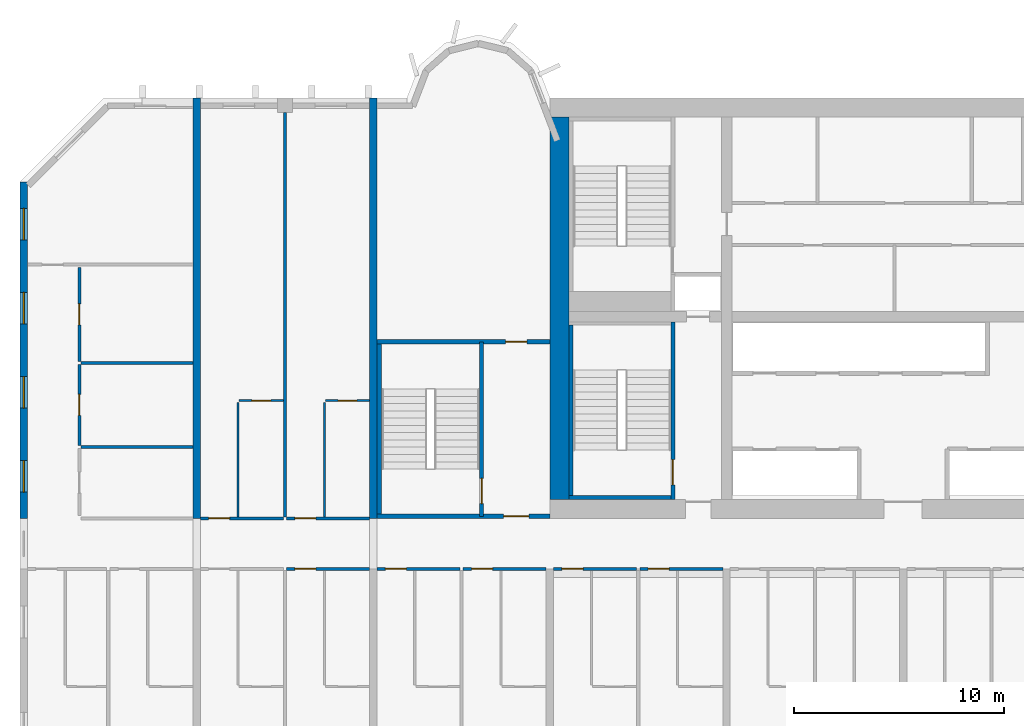
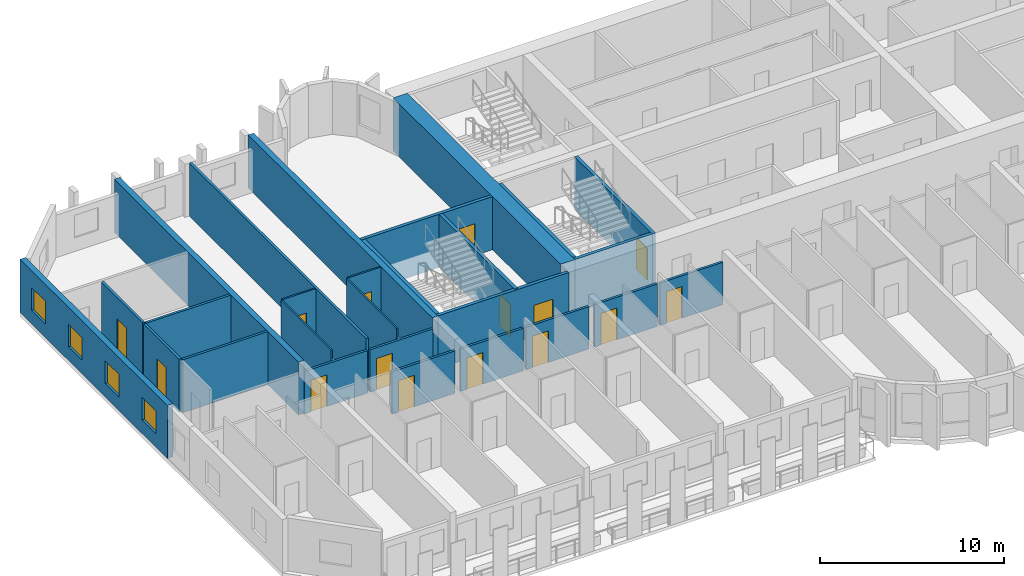
# One storey, part 4 of 15: 27 walls, 15 doors, 4 windows, 19 openings.
"""IFC4 building model written with IfcOpenShell, lengths in metres."""

from ifc_helpers import new_model, si_unit, direction, frame, frame_2d, origin, place, context, subcontext, project, spatial, rectangle, extrude, source, transform, mapped, material, layer, layer_set, type_object, element, fill, save


model = new_model("IFC4")

# Units and contexts
model_context = context("Model", 3, precision=1e-05, world=origin(), true_north=direction((0.0, 1.0)))
body_context = subcontext(model_context, "Body", "Model", "MODEL_VIEW")
ifc_project = project(units=[si_unit("LENGTHUNIT", "METRE"), si_unit("AREAUNIT", "SQUARE_METRE"), si_unit("VOLUMEUNIT", "CUBIC_METRE"), si_unit("PLANEANGLEUNIT", "RADIAN"), si_unit("MASSUNIT", "GRAM", prefix="KILO")], contexts=[model_context])

# Site, building, storey
site_placement = place(None, origin())
site = spatial("IfcSite", under=ifc_project, at=site_placement, CompositionType="ELEMENT")
building_placement = place(site_placement, origin())
building = spatial("IfcBuilding", under=site, at=building_placement, Name="Vanashikhar Sky Hotel", CompositionType="ELEMENT")
storey_placement = place(building_placement, frame((0.0, 0.0, 106.60009765625)))
storey = spatial("IfcBuildingStorey", under=building, at=storey_placement, Name="L25", CompositionType="ELEMENT", Elevation=106.60009765625)

# Wall
ifc_material_1 = material(Name="Concrete M70", Category="concrete")
ifc_layer_1 = layer(ifc_material_1, 0.89990234375)
ifc_layer_set_1 = layer_set([ifc_layer_1], Name="RC core shell wall 900 Concrete M70")
wall_type_1 = type_object("IfcWallType", Name="RC core shell wall 900 Concrete M70", PredefinedType="SHEAR", material=ifc_layer_set_1)
shared_shape_1 = source(origin(), body_context, "Body", "SweptSolid", [
    extrude(rectangle(XDim=18.2001953125, YDim=0.89990234375, at=frame_2d((9.10009765625, 0.0))), origin(), (0.0, 0.0, 1.0), 3.52001953125),
])
wall_1_placement = place(storey_placement, frame((25.64990234375, 22.89990234375, 0.0), z_axis=(0.0, 0.0, 1.0), x_axis=(0.0, 1.0, 0.0)))
element("IfcWall", 1, at=wall_1_placement, inside=storey, type_object=wall_type_1, Name="KW-L25-KW", PredefinedType="SHEAR", context=body_context, shape_type="MappedRepresentation", body=[
    mapped(shared_shape_1, transform((0.0, 0.0, 0.0), scale=1.0)),
])

# Wall, openings, windows
ifc_layer_2 = layer(ifc_material_1, 0.35009765625)
ifc_layer_set_2 = layer_set([ifc_layer_2], Name="RC shear wall 350 Concrete M70")
wall_type_2 = type_object("IfcWallType", Name="RC shear wall 350 Concrete M70", PredefinedType="SHEAR", material=ifc_layer_set_2)
shared_shape_2 = source(origin(), body_context, "Body", "SweptSolid", [
    extrude(rectangle(XDim=16.0, YDim=0.35009765625, at=frame_2d((8.0, 0.0))), origin(), (0.0, 0.0, 1.0), 3.52001953125),
])
wall_2_placement = place(storey_placement, frame((0.175048828125, 22.0, 0.0), z_axis=(0.0, 0.0, 1.0), x_axis=(0.0, 1.0, 0.0)))
wall_2 = element("IfcWall", 2, at=wall_2_placement, inside=storey, type_object=wall_type_2, Name="CW-L25-XW01-2", PredefinedType="SHEAR", context=body_context, shape_type="MappedRepresentation", body=[
    mapped(shared_shape_2, transform((0.0, 0.0, 0.0), scale=1.0)),
])
shared_shape_3 = source(origin(), body_context, "Body", "SweptSolid", [
    extrude(rectangle(XDim=1.5, YDim=1.5, at=frame_2d((0.75, 0.75))), frame((0.0, 0.18505859375, 0.0), z_axis=(0.0, -1.0, 0.0), x_axis=(1.0, 0.0, 0.0)), (0.0, 0.0, 1.0), 0.3701171875),
])
opening_1_placement = place(wall_2_placement, frame((1.25, 0.0, 0.89990234375)))
opening_1 = element("IfcOpeningElement", 3, at=opening_1_placement, cuts=wall_2, Name="Opening WN-1", PredefinedType="OPENING", context=body_context, shape_type="MappedRepresentation", body=[
    mapped(shared_shape_3, transform((0.0, 0.0, 0.0), scale=1.0)),
])
opening_2_placement = place(wall_2_placement, frame((5.25, 0.0, 0.89990234375)))
opening_2 = element("IfcOpeningElement", 4, at=opening_2_placement, cuts=wall_2, Name="Opening WN-1", PredefinedType="OPENING", context=body_context, shape_type="MappedRepresentation", body=[
    mapped(shared_shape_3, transform((0.0, 0.0, 0.0), scale=1.0)),
])
opening_3_placement = place(wall_2_placement, frame((9.25, 0.0, 0.89990234375)))
opening_3 = element("IfcOpeningElement", 5, at=opening_3_placement, cuts=wall_2, Name="Opening WN-1", PredefinedType="OPENING", context=body_context, shape_type="MappedRepresentation", body=[
    mapped(shared_shape_3, transform((0.0, 0.0, 0.0), scale=1.0)),
])
opening_4_placement = place(wall_2_placement, frame((13.25, 0.0, 0.89990234375)))
opening_4 = element("IfcOpeningElement", 6, at=opening_4_placement, cuts=wall_2, Name="Opening WN-1", PredefinedType="OPENING", context=body_context, shape_type="MappedRepresentation", body=[
    mapped(shared_shape_3, transform((0.0, 0.0, 0.0), scale=1.0)),
])
ifc_material_2 = material(Name="Glass", Category="glass")
window_type = type_object("IfcWindowType", Name="Window 1500 x 1500", PartitioningType="SINGLE_PANEL", PredefinedType="WINDOW", material=ifc_material_2)
shared_shape_4 = source(origin(), body_context, "Body", "SweptSolid", [
    extrude(rectangle(XDim=1.5, YDim=1.5, at=frame_2d((0.75, 0.75))), frame((0.0, 0.030029296875, 0.0), z_axis=(0.0, -1.0, 0.0), x_axis=(1.0, 0.0, 0.0)), (0.0, 0.0, 1.0), 0.06005859375),
])
window_1_placement = place(opening_1_placement, origin())
window_1 = element("IfcWindow", 7, at=window_1_placement, inside=storey, type_object=window_type, Name="Window WN-1", OverallHeight=1.5, OverallWidth=1.5, PartitioningType="SINGLE_PANEL", PredefinedType="WINDOW", context=body_context, shape_type="MappedRepresentation", body=[
    mapped(shared_shape_4, transform((0.0, 0.0, 0.0), scale=1.0)),
])
fill(opening_1, window_1)
window_2_placement = place(opening_2_placement, origin())
window_2 = element("IfcWindow", 8, at=window_2_placement, inside=storey, type_object=window_type, Name="Window WN-1", OverallHeight=1.5, OverallWidth=1.5, PartitioningType="SINGLE_PANEL", PredefinedType="WINDOW", context=body_context, shape_type="MappedRepresentation", body=[
    mapped(shared_shape_4, transform((0.0, 0.0, 0.0), scale=1.0)),
])
fill(opening_2, window_2)
window_3_placement = place(opening_3_placement, origin())
window_3 = element("IfcWindow", 9, at=window_3_placement, inside=storey, type_object=window_type, Name="Window WN-1", OverallHeight=1.5, OverallWidth=1.5, PartitioningType="SINGLE_PANEL", PredefinedType="WINDOW", context=body_context, shape_type="MappedRepresentation", body=[
    mapped(shared_shape_4, transform((0.0, 0.0, 0.0), scale=1.0)),
])
fill(opening_3, window_3)
window_4_placement = place(opening_4_placement, origin())
window_4 = element("IfcWindow", 10, at=window_4_placement, inside=storey, type_object=window_type, Name="Window WN-1", OverallHeight=1.5, OverallWidth=1.5, PartitioningType="SINGLE_PANEL", PredefinedType="WINDOW", context=body_context, shape_type="MappedRepresentation", body=[
    mapped(shared_shape_4, transform((0.0, 0.0, 0.0), scale=1.0)),
])
fill(opening_4, window_4)

# Walls
shared_shape_5 = source(origin(), body_context, "Body", "SweptSolid", [
    extrude(rectangle(XDim=20.0, YDim=0.35009765625, at=frame_2d((10.0, 0.0))), origin(), (0.0, 0.0, 1.0), 3.52001953125),
])
for number, where, z_axis, x_axis, name in (
    (11, (8.39990234375, 22.0, 0.0), (0.0, 0.0, 1.0), (0.0, 1.0, 0.0), "CW-L25-XW02-2"),
    (12, (16.800048828125, 22.0, 0.0), (0.0, 0.0, 1.0), (0.0, 1.0, 0.0), "CW-L25-XW03-2"),
):
    element("IfcWall", number, at=place(storey_placement, frame(where, z_axis=z_axis, x_axis=x_axis)), inside=storey, type_object=wall_type_2, Name=name, PredefinedType="SHEAR", context=body_context, shape_type="MappedRepresentation", body=[
        mapped(shared_shape_5, transform((0.0, 0.0, 0.0), scale=1.0)),
    ])

# Wall, opening, door
ifc_material_3 = material(Name="Concrete M50", Category="concrete")
ifc_layer_3 = layer(ifc_material_3, 0.199951171875)
ifc_layer_set_3 = layer_set([ifc_layer_3], Name="Stair wall 200")
wall_type_3 = type_object("IfcWallType", Name="Stair wall 200", PredefinedType="SOLIDWALL", material=ifc_layer_set_3)
shared_shape_6 = source(origin(), body_context, "Body", "SweptSolid", [
    extrude(rectangle(XDim=8.2998046875, YDim=0.199951171875, at=frame_2d((4.14990234375, 0.0))), origin(), (0.0, 0.0, 1.0), 3.52001953125),
])
wall_3_placement = place(storey_placement, frame((21.949951171875, 22.10009765625, 0.0), z_axis=(0.0, 0.0, 1.0), x_axis=(0.0, 1.0, 0.0)))
wall_3 = element("IfcWall", 13, at=wall_3_placement, inside=storey, type_object=wall_type_3, Name="Stair wall 200", PredefinedType="SOLIDWALL", context=body_context, shape_type="MappedRepresentation", body=[
    mapped(shared_shape_6, transform((0.0, 0.0, 0.0), scale=1.0)),
])
shared_shape_7 = source(origin(), body_context, "Body", "SweptSolid", [
    extrude(rectangle(XDim=1.199951171875, YDim=2.10009765625, at=frame_2d((0.60009765625, 1.050048828125))), frame((0.0, 0.10986328125, 0.0), z_axis=(0.0, -1.0, 0.0), x_axis=(1.0, 0.0, 0.0)), (0.0, 0.0, 1.0), 0.219970703125),
])
opening_5_placement = place(wall_3_placement, frame((0.60009765625, 0.0, 0.0)))
opening_5 = element("IfcOpeningElement", 14, at=opening_5_placement, cuts=wall_3, Name="Opening DC-1", PredefinedType="OPENING", context=body_context, shape_type="MappedRepresentation", body=[
    mapped(shared_shape_7, transform((0.0, 0.0, 0.0), scale=1.0)),
])
ifc_material_4 = material(Name="Steel", Category="steel")
door_type_1 = type_object("IfcDoorType", Name="Stair door 1200 FD120", OperationType="NOTDEFINED", PredefinedType="DOOR", material=ifc_material_4)
shared_shape_8 = source(origin(), body_context, "Body", "SweptSolid", [
    extrude(rectangle(XDim=1.199951171875, YDim=2.10009765625, at=frame_2d((0.60009765625, 1.050048828125))), frame((0.0, 0.02490234375, 0.0), z_axis=(0.0, -1.0, 0.0), x_axis=(1.0, 0.0, 0.0)), (0.0, 0.0, 1.0), 0.050048828125),
])
door_1_placement = place(opening_5_placement, origin())
door_1 = element("IfcDoor", 15, at=door_1_placement, inside=storey, type_object=door_type_1, Name="Stair door 1200 FD120", OperationType="SINGLE_SWING_LEFT", OverallHeight=2.10009765625, OverallWidth=1.199951171875, PredefinedType="DOOR", context=body_context, shape_type="MappedRepresentation", body=[
    mapped(shared_shape_8, transform((0.0, 0.0, 0.0), scale=1.0)),
])
fill(opening_5, door_1)

shared_shape_9 = source(origin(), body_context, "Body", "SweptSolid", [
    extrude(rectangle(XDim=8.4501953125, YDim=0.199951171875, at=frame_2d((4.22509765625, 0.0))), origin(), (0.0, 0.0, 1.0), 3.52001953125),
])
wall_4_placement = place(storey_placement, frame((31.050048828125, 22.89990234375, 0.0), z_axis=(0.0, 0.0, 1.0), x_axis=(0.0, 1.0, 0.0)))
wall_4 = element("IfcWall", 16, at=wall_4_placement, inside=storey, type_object=wall_type_3, Name="Stair wall 200", PredefinedType="SOLIDWALL", context=body_context, shape_type="MappedRepresentation", body=[
    mapped(shared_shape_9, transform((0.0, 0.0, 0.0), scale=1.0)),
])
opening_6_placement = place(wall_4_placement, frame((0.699951171875, 0.0, 0.0)))
opening_6 = element("IfcOpeningElement", 17, at=opening_6_placement, cuts=wall_4, Name="Opening DC-1", PredefinedType="OPENING", context=body_context, shape_type="MappedRepresentation", body=[
    mapped(shared_shape_7, transform((0.0, 0.0, 0.0), scale=1.0)),
])
door_2_placement = place(opening_6_placement, origin())
door_2 = element("IfcDoor", 18, at=door_2_placement, inside=storey, type_object=door_type_1, Name="Stair door 1200 FD120", OperationType="SINGLE_SWING_RIGHT", OverallHeight=2.10009765625, OverallWidth=1.199951171875, PredefinedType="DOOR", context=body_context, shape_type="MappedRepresentation", body=[
    mapped(shared_shape_8, transform((0.0, 0.0, 0.0), scale=1.0)),
])
fill(opening_6, door_2)

shared_shape_10 = source(origin(), body_context, "Body", "SweptSolid", [
    extrude(rectangle(XDim=8.224853515625, YDim=0.199951171875, at=frame_2d((4.1123046875, 0.0))), origin(), (0.0, 0.0, 1.0), 3.52001953125),
])
wall_5_placement = place(storey_placement, frame((16.97509765625, 22.10009765625, 0.0), z_axis=(0.0, 0.0, 1.0), x_axis=(1.0, 0.0, 0.0)))
wall_5 = element("IfcWall", 19, at=wall_5_placement, inside=storey, type_object=wall_type_3, Name="Stair wall 200", PredefinedType="SOLIDWALL", context=body_context, shape_type="MappedRepresentation", body=[
    mapped(shared_shape_10, transform((0.0, 0.0, 0.0), scale=1.0)),
])
opening_7_placement = place(wall_5_placement, frame((6.02490234375, 0.0, 0.0)))
opening_7 = element("IfcOpeningElement", 20, at=opening_7_placement, cuts=wall_5, Name="Opening DC-2", PredefinedType="OPENING", context=body_context, shape_type="MappedRepresentation", body=[
    mapped(shared_shape_7, transform((0.0, 0.0, 0.0), scale=1.0)),
])
door_type_2 = type_object("IfcDoorType", Name="Firefighting lobby door 1200 FD120", OperationType="NOTDEFINED", PredefinedType="DOOR", material=ifc_material_4)
door_3_placement = place(opening_7_placement, origin())
door_3 = element("IfcDoor", 21, at=door_3_placement, inside=storey, type_object=door_type_2, Name="Firefighting lobby door 1200 FD120", OperationType="SINGLE_SWING_RIGHT", OverallHeight=2.10009765625, OverallWidth=1.199951171875, PredefinedType="DOOR", context=body_context, shape_type="MappedRepresentation", body=[
    mapped(shared_shape_8, transform((0.0, 0.0, 0.0), scale=1.0)),
])
fill(opening_7, door_3)

wall_6_placement = place(storey_placement, frame((16.97509765625, 30.39990234375, 0.0), z_axis=(0.0, 0.0, 1.0), x_axis=(1.0, 0.0, 0.0)))
wall_6 = element("IfcWall", 22, at=wall_6_placement, inside=storey, type_object=wall_type_3, Name="Stair wall 200", PredefinedType="SOLIDWALL", context=body_context, shape_type="MappedRepresentation", body=[
    mapped(shared_shape_10, transform((0.0, 0.0, 0.0), scale=1.0)),
])
shared_shape_11 = source(origin(), body_context, "Body", "SweptSolid", [
    extrude(rectangle(XDim=1.0, YDim=2.10009765625, at=frame_2d((0.5, 1.050048828125))), frame((0.0, 0.10986328125, 0.0), z_axis=(0.0, -1.0, 0.0), x_axis=(1.0, 0.0, 0.0)), (0.0, 0.0, 1.0), 0.219970703125),
])
opening_8_placement = place(wall_6_placement, frame((6.125, 0.0, 0.0)))
opening_8 = element("IfcOpeningElement", 23, at=opening_8_placement, cuts=wall_6, Name="Opening DC-6", PredefinedType="OPENING", context=body_context, shape_type="MappedRepresentation", body=[
    mapped(shared_shape_11, transform((0.0, 0.0, 0.0), scale=1.0)),
])
door_type_3 = type_object("IfcDoorType", Name="Pocket door 1000 FD60", OperationType="NOTDEFINED", PredefinedType="DOOR", material=ifc_material_4)
shared_shape_12 = source(origin(), body_context, "Body", "SweptSolid", [
    extrude(rectangle(XDim=1.0, YDim=2.10009765625, at=frame_2d((0.5, 1.050048828125))), frame((0.0, 0.02490234375, 0.0), z_axis=(0.0, -1.0, 0.0), x_axis=(1.0, 0.0, 0.0)), (0.0, 0.0, 1.0), 0.050048828125),
])
door_4_placement = place(opening_8_placement, origin())
door_4 = element("IfcDoor", 24, at=door_4_placement, inside=storey, type_object=door_type_3, Name="Pocket door 1000 FD60", OperationType="SINGLE_SWING_RIGHT", OverallHeight=2.10009765625, OverallWidth=1.0, PredefinedType="DOOR", context=body_context, shape_type="MappedRepresentation", body=[
    mapped(shared_shape_12, transform((0.0, 0.0, 0.0), scale=1.0)),
])
fill(opening_8, door_4)

# Walls
ifc_layer_4 = layer(ifc_material_3, 0.199951171875)
ifc_layer_set_4 = layer_set([ifc_layer_4], Name="Stair infill wall 200")
wall_type_4 = type_object("IfcWallType", Name="Stair infill wall 200", PredefinedType="SOLIDWALL", material=ifc_layer_set_4)
shared_shape_13 = source(origin(), body_context, "Body", "SweptSolid", [
    extrude(rectangle(XDim=4.849853515625, YDim=0.199951171875, at=frame_2d((2.4248046875, 0.0))), origin(), (0.0, 0.0, 1.0), 3.52001953125),
])
wall_7_placement = place(storey_placement, frame((26.10009765625, 23.0, 0.0), z_axis=(0.0, 0.0, 1.0), x_axis=(1.0, 0.0, 0.0)))
element("IfcWall", 25, at=wall_7_placement, inside=storey, type_object=wall_type_4, Name="Stair infill wall 200", PredefinedType="SOLIDWALL", context=body_context, shape_type="MappedRepresentation", body=[
    mapped(shared_shape_13, transform((0.0, 0.0, 0.0), scale=1.0)),
])
shared_shape_14 = source(origin(), body_context, "Body", "SweptSolid", [
    extrude(rectangle(XDim=8.099853515625, YDim=0.199951171875, at=frame_2d((4.0498046875, 0.0))), origin(), (0.0, 0.0, 1.0), 3.52001953125),
])
wall_8_placement = place(storey_placement, frame((26.199951171875, 23.10009765625, 0.0), z_axis=(0.0, 0.0, 1.0), x_axis=(0.0, 1.0, 0.0)))
element("IfcWall", 26, at=wall_8_placement, inside=storey, type_object=wall_type_4, Name="Stair infill wall 200", PredefinedType="SOLIDWALL", context=body_context, shape_type="MappedRepresentation", body=[
    mapped(shared_shape_14, transform((0.0, 0.0, 0.0), scale=1.0)),
])
ifc_layer_5 = layer(ifc_material_3, 0.22509765625)
ifc_layer_set_5 = layer_set([ifc_layer_5], Name="Stair infill wall 225")
wall_type_5 = type_object("IfcWallType", Name="Stair infill wall 225", PredefinedType="SOLIDWALL", material=ifc_layer_set_5)
shared_shape_15 = source(origin(), body_context, "Body", "SweptSolid", [
    extrude(rectangle(XDim=8.10009765625, YDim=0.22509765625, at=frame_2d((4.050048828125, 0.0))), origin(), (0.0, 0.0, 1.0), 3.52001953125),
])
wall_9_placement = place(storey_placement, frame((17.0869140625, 22.199951171875, 0.0), z_axis=(0.0, 0.0, 1.0), x_axis=(0.0, 1.0, 0.0)))
element("IfcWall", 27, at=wall_9_placement, inside=storey, type_object=wall_type_5, Name="Stair infill wall 225", PredefinedType="SOLIDWALL", context=body_context, shape_type="MappedRepresentation", body=[
    mapped(shared_shape_15, transform((0.0, 0.0, 0.0), scale=1.0)),
])

# Wall, opening, door
ifc_material_5 = material(Name="Gypsum plasterboard partition")
ifc_layer_6 = layer(ifc_material_5, 0.14990234375)
ifc_layer_set_6 = layer_set([ifc_layer_6], Name="Corridor and demising partition 150")
wall_type_6 = type_object("IfcWallType", Name="Corridor and demising partition 150", PredefinedType="PARTITIONING", material=ifc_layer_set_6)
shared_shape_16 = source(origin(), body_context, "Body", "SweptSolid", [
    extrude(rectangle(XDim=3.849853515625, YDim=0.14990234375, at=frame_2d((1.9248046875, 0.0))), origin(), (0.0, 0.0, 1.0), 3.52001953125),
])
wall_10_placement = place(storey_placement, frame((2.824951171875, 25.47509765625, 0.0), z_axis=(0.0, 0.0, 1.0), x_axis=(0.0, 1.0, 0.0)))
wall_10 = element("IfcWall", 28, at=wall_10_placement, inside=storey, type_object=wall_type_6, Name="W-L25-PW084", PredefinedType="PARTITIONING", context=body_context, shape_type="MappedRepresentation", body=[
    mapped(shared_shape_16, transform((0.0, 0.0, 0.0), scale=1.0)),
])
shared_shape_17 = source(origin(), body_context, "Body", "SweptSolid", [
    extrude(rectangle(XDim=1.0, YDim=2.10009765625, at=frame_2d((0.5, 1.050048828125))), frame((0.0, 0.0849609375, 0.0), z_axis=(0.0, -1.0, 0.0), x_axis=(1.0, 0.0, 0.0)), (0.0, 0.0, 1.0), 0.169921875),
])
opening_9_placement = place(wall_10_placement, frame((1.425048828125, 0.0, 0.0)))
opening_9 = element("IfcOpeningElement", 29, at=opening_9_placement, cuts=wall_10, Name="Opening D-01", PredefinedType="OPENING", context=body_context, shape_type="MappedRepresentation", body=[
    mapped(shared_shape_17, transform((0.0, 0.0, 0.0), scale=1.0)),
])
ifc_material_6 = material(Name="Timber fire door", Category="wood")
door_type_4 = type_object("IfcDoorType", Name="Guest entry door 1000 FD30S", OperationType="NOTDEFINED", PredefinedType="DOOR", material=ifc_material_6)
door_5_placement = place(opening_9_placement, origin())
door_5 = element("IfcDoor", 30, at=door_5_placement, inside=storey, type_object=door_type_4, Name="D-L25-047", OperationType="SINGLE_SWING_LEFT", OverallHeight=2.10009765625, OverallWidth=1.0, PredefinedType="DOOR", context=body_context, shape_type="MappedRepresentation", body=[
    mapped(shared_shape_12, transform((0.0, 0.0, 0.0), scale=1.0)),
])
fill(opening_9, door_5)

shared_shape_18 = source(origin(), body_context, "Body", "SweptSolid", [
    extrude(rectangle(XDim=4.449951171875, YDim=0.14990234375, at=frame_2d((2.22509765625, 0.0))), origin(), (0.0, 0.0, 1.0), 3.52001953125),
])
wall_11_placement = place(storey_placement, frame((2.824951171875, 29.47509765625, 0.0), z_axis=(0.0, 0.0, 1.0), x_axis=(0.0, 1.0, 0.0)))
wall_11 = element("IfcWall", 31, at=wall_11_placement, inside=storey, type_object=wall_type_6, Name="W-L25-PW086", PredefinedType="PARTITIONING", context=body_context, shape_type="MappedRepresentation", body=[
    mapped(shared_shape_18, transform((0.0, 0.0, 0.0), scale=1.0)),
])
opening_10_placement = place(wall_11_placement, frame((1.72509765625, 0.0, 0.0)))
opening_10 = element("IfcOpeningElement", 32, at=opening_10_placement, cuts=wall_11, Name="Opening D-01", PredefinedType="OPENING", context=body_context, shape_type="MappedRepresentation", body=[
    mapped(shared_shape_17, transform((0.0, 0.0, 0.0), scale=1.0)),
])
door_6_placement = place(opening_10_placement, origin())
door_6 = element("IfcDoor", 33, at=door_6_placement, inside=storey, type_object=door_type_4, Name="D-L25-048", OperationType="SINGLE_SWING_LEFT", OverallHeight=2.10009765625, OverallWidth=1.0, PredefinedType="DOOR", context=body_context, shape_type="MappedRepresentation", body=[
    mapped(shared_shape_12, transform((0.0, 0.0, 0.0), scale=1.0)),
])
fill(opening_10, door_6)

# Walls
ifc_layer_7 = layer(ifc_material_5, 0.10009765625)
ifc_layer_set_7 = layer_set([ifc_layer_7], Name="Wet room partition 100")
wall_type_7 = type_object("IfcWallType", Name="Wet room partition 100", PredefinedType="PARTITIONING", material=ifc_layer_set_7)
shared_shape_19 = source(origin(), body_context, "Body", "SweptSolid", [
    extrude(rectangle(XDim=5.449951171875, YDim=0.10009765625, at=frame_2d((2.72509765625, 0.0))), origin(), (0.0, 0.0, 1.0), 3.52001953125),
])
for number, where, z_axis, x_axis, name in (
    (34, (10.375, 22.074951171875, 0.0), (0.0, 0.0, 1.0), (0.0, 1.0, 0.0), "W-L25-PW088"),
    (35, (14.47509765625, 22.074951171875, 0.0), (0.0, 0.0, 1.0), (0.0, 1.0, 0.0), "W-L25-PW091"),
):
    element("IfcWall", number, at=place(storey_placement, frame(where, z_axis=z_axis, x_axis=x_axis)), inside=storey, type_object=wall_type_7, Name=name, PredefinedType="PARTITIONING", context=body_context, shape_type="MappedRepresentation", body=[
        mapped(shared_shape_19, transform((0.0, 0.0, 0.0), scale=1.0)),
    ])

# Wall, opening, door
shared_shape_20 = source(origin(), body_context, "Body", "SweptSolid", [
    extrude(rectangle(XDim=2.10009765625, YDim=0.10009765625, at=frame_2d((1.050048828125, 0.0))), origin(), (0.0, 0.0, 1.0), 3.52001953125),
])
wall_12_placement = place(storey_placement, frame((14.52490234375, 27.60009765625, 0.0), z_axis=(0.0, 0.0, 1.0), x_axis=(1.0, 0.0, 0.0)))
wall_12 = element("IfcWall", 36, at=wall_12_placement, inside=storey, type_object=wall_type_7, Name="W-L25-PW092", PredefinedType="PARTITIONING", context=body_context, shape_type="MappedRepresentation", body=[
    mapped(shared_shape_20, transform((0.0, 0.0, 0.0), scale=1.0)),
])
shared_shape_21 = source(origin(), body_context, "Body", "SweptSolid", [
    extrude(rectangle(XDim=0.89990234375, YDim=2.10009765625, at=frame_2d((0.449951171875, 1.050048828125))), frame((0.0, 0.06005859375, 0.0), z_axis=(0.0, -1.0, 0.0), x_axis=(1.0, 0.0, 0.0)), (0.0, 0.0, 1.0), 0.1201171875),
])
opening_11_placement = place(wall_12_placement, frame((0.60009765625, 0.0, 0.0)))
opening_11 = element("IfcOpeningElement", 37, at=opening_11_placement, cuts=wall_12, Name="Opening D-02", PredefinedType="OPENING", context=body_context, shape_type="MappedRepresentation", body=[
    mapped(shared_shape_21, transform((0.0, 0.0, 0.0), scale=1.0)),
])
ifc_material_7 = material(Name="Timber door", Category="wood")
door_type_5 = type_object("IfcDoorType", Name="Internal door 900", OperationType="NOTDEFINED", PredefinedType="DOOR", material=ifc_material_7)
shared_shape_22 = source(origin(), body_context, "Body", "SweptSolid", [
    extrude(rectangle(XDim=0.89990234375, YDim=2.10009765625, at=frame_2d((0.449951171875, 1.050048828125))), frame((0.0, 0.02490234375, 0.0), z_axis=(0.0, -1.0, 0.0), x_axis=(1.0, 0.0, 0.0)), (0.0, 0.0, 1.0), 0.050048828125),
])
door_7_placement = place(opening_11_placement, origin())
door_7 = element("IfcDoor", 38, at=door_7_placement, inside=storey, type_object=door_type_5, Name="D-L25-052", OperationType="SINGLE_SWING_LEFT", OverallHeight=2.10009765625, OverallWidth=0.89990234375, PredefinedType="DOOR", context=body_context, shape_type="MappedRepresentation", body=[
    mapped(shared_shape_22, transform((0.0, 0.0, 0.0), scale=1.0)),
])
fill(opening_11, door_7)

shared_shape_23 = source(origin(), body_context, "Body", "SweptSolid", [
    extrude(rectangle(XDim=2.099853515625, YDim=0.10009765625, at=frame_2d((1.0498046875, 0.0))), origin(), (0.0, 0.0, 1.0), 3.52001953125),
])
wall_13_placement = place(storey_placement, frame((10.425048828125, 27.60009765625, 0.0), z_axis=(0.0, 0.0, 1.0), x_axis=(1.0, 0.0, 0.0)))
wall_13 = element("IfcWall", 39, at=wall_13_placement, inside=storey, type_object=wall_type_7, Name="W-L25-PW089", PredefinedType="PARTITIONING", context=body_context, shape_type="MappedRepresentation", body=[
    mapped(shared_shape_23, transform((0.0, 0.0, 0.0), scale=1.0)),
])
opening_12_placement = place(wall_13_placement, frame((0.60009765625, 0.0, 0.0)))
opening_12 = element("IfcOpeningElement", 40, at=opening_12_placement, cuts=wall_13, Name="Opening D-02", PredefinedType="OPENING", context=body_context, shape_type="MappedRepresentation", body=[
    mapped(shared_shape_21, transform((0.0, 0.0, 0.0), scale=1.0)),
])
door_8_placement = place(opening_12_placement, origin())
door_8 = element("IfcDoor", 41, at=door_8_placement, inside=storey, type_object=door_type_5, Name="D-L25-050", OperationType="SINGLE_SWING_LEFT", OverallHeight=2.10009765625, OverallWidth=0.89990234375, PredefinedType="DOOR", context=body_context, shape_type="MappedRepresentation", body=[
    mapped(shared_shape_22, transform((0.0, 0.0, 0.0), scale=1.0)),
])
fill(opening_12, door_8)

# Walls
shared_shape_24 = source(origin(), body_context, "Body", "SweptSolid", [
    extrude(rectangle(XDim=5.3251953125, YDim=0.14990234375, at=frame_2d((2.66259765625, 0.0))), origin(), (0.0, 0.0, 1.0), 3.52001953125),
])
for number, where, z_axis, x_axis, name in (
    (42, (2.89990234375, 25.39990234375, 0.0), (0.0, 0.0, 1.0), (1.0, 0.0, 0.0), "W-L25-PW083"),
    (43, (2.89990234375, 29.39990234375, 0.0), (0.0, 0.0, 1.0), (1.0, 0.0, 0.0), "W-L25-PW085"),
):
    element("IfcWall", number, at=place(storey_placement, frame(where, z_axis=z_axis, x_axis=x_axis)), inside=storey, type_object=wall_type_6, Name=name, PredefinedType="PARTITIONING", context=body_context, shape_type="MappedRepresentation", body=[
        mapped(shared_shape_24, transform((0.0, 0.0, 0.0), scale=1.0)),
    ])
shared_shape_25 = source(origin(), body_context, "Body", "SweptSolid", [
    extrude(rectangle(XDim=19.22509765625, YDim=0.14990234375, at=frame_2d((9.612548828125, 0.0))), origin(), (0.0, 0.0, 1.0), 3.52001953125),
])
wall_14_placement = place(storey_placement, frame((12.60009765625, 22.074951171875, 0.0), z_axis=(0.0, 0.0, 1.0), x_axis=(0.0, 1.0, 0.0)))
element("IfcWall", 44, at=wall_14_placement, inside=storey, type_object=wall_type_6, Name="W-L25-PW094", PredefinedType="PARTITIONING", context=body_context, shape_type="MappedRepresentation", body=[
    mapped(shared_shape_25, transform((0.0, 0.0, 0.0), scale=1.0)),
])

# Wall, opening, door
shared_shape_26 = source(origin(), body_context, "Body", "SweptSolid", [
    extrude(rectangle(XDim=3.949951171875, YDim=0.14990234375, at=frame_2d((1.97509765625, 0.0))), origin(), (0.0, 0.0, 1.0), 2.81982421875),
])
wall_15_placement = place(storey_placement, frame((12.675048828125, 19.60009765625, 0.0), z_axis=(0.0, 0.0, 1.0), x_axis=(1.0, 0.0, 0.0)))
wall_15 = element("IfcWall", 45, at=wall_15_placement, inside=storey, type_object=wall_type_6, Name="W-L25-PW013", PredefinedType="PARTITIONING", context=body_context, shape_type="MappedRepresentation", body=[
    mapped(shared_shape_26, transform((0.0, 0.0, 0.0), scale=1.0)),
])
opening_13_placement = place(wall_15_placement, frame((0.39990234375, 0.0, 0.0)))
opening_13 = element("IfcOpeningElement", 46, at=opening_13_placement, cuts=wall_15, Name="Opening D-01", PredefinedType="OPENING", context=body_context, shape_type="MappedRepresentation", body=[
    mapped(shared_shape_17, transform((0.0, 0.0, 0.0), scale=1.0)),
])
door_9_placement = place(opening_13_placement, origin())
door_9 = element("IfcDoor", 47, at=door_9_placement, inside=storey, type_object=door_type_4, Name="D-L25-008", OperationType="SINGLE_SWING_LEFT", OverallHeight=2.10009765625, OverallWidth=1.0, PredefinedType="DOOR", context=body_context, shape_type="MappedRepresentation", body=[
    mapped(shared_shape_12, transform((0.0, 0.0, 0.0), scale=1.0)),
])
fill(opening_13, door_9)

wall_16_placement = place(storey_placement, frame((16.97509765625, 19.60009765625, 0.0), z_axis=(0.0, 0.0, 1.0), x_axis=(1.0, 0.0, 0.0)))
wall_16 = element("IfcWall", 48, at=wall_16_placement, inside=storey, type_object=wall_type_6, Name="W-L25-PW017", PredefinedType="PARTITIONING", context=body_context, shape_type="MappedRepresentation", body=[
    mapped(shared_shape_26, transform((0.0, 0.0, 0.0), scale=1.0)),
])
opening_14_placement = place(wall_16_placement, frame((0.39990234375, 0.0, 0.0)))
opening_14 = element("IfcOpeningElement", 49, at=opening_14_placement, cuts=wall_16, Name="Opening D-01", PredefinedType="OPENING", context=body_context, shape_type="MappedRepresentation", body=[
    mapped(shared_shape_17, transform((0.0, 0.0, 0.0), scale=1.0)),
])
door_10_placement = place(opening_14_placement, origin())
door_10 = element("IfcDoor", 50, at=door_10_placement, inside=storey, type_object=door_type_4, Name="D-L25-010", OperationType="SINGLE_SWING_LEFT", OverallHeight=2.10009765625, OverallWidth=1.0, PredefinedType="DOOR", context=body_context, shape_type="MappedRepresentation", body=[
    mapped(shared_shape_12, transform((0.0, 0.0, 0.0), scale=1.0)),
])
fill(opening_14, door_10)

wall_17_placement = place(storey_placement, frame((21.074951171875, 19.60009765625, 0.0), z_axis=(0.0, 0.0, 1.0), x_axis=(1.0, 0.0, 0.0)))
wall_17 = element("IfcWall", 51, at=wall_17_placement, inside=storey, type_object=wall_type_6, Name="W-L25-PW020", PredefinedType="PARTITIONING", context=body_context, shape_type="MappedRepresentation", body=[
    mapped(shared_shape_26, transform((0.0, 0.0, 0.0), scale=1.0)),
])
opening_15_placement = place(wall_17_placement, frame((0.39990234375, 0.0, 0.0)))
opening_15 = element("IfcOpeningElement", 52, at=opening_15_placement, cuts=wall_17, Name="Opening D-01", PredefinedType="OPENING", context=body_context, shape_type="MappedRepresentation", body=[
    mapped(shared_shape_17, transform((0.0, 0.0, 0.0), scale=1.0)),
])
door_11_placement = place(opening_15_placement, origin())
door_11 = element("IfcDoor", 53, at=door_11_placement, inside=storey, type_object=door_type_4, Name="D-L25-012", OperationType="SINGLE_SWING_LEFT", OverallHeight=2.10009765625, OverallWidth=1.0, PredefinedType="DOOR", context=body_context, shape_type="MappedRepresentation", body=[
    mapped(shared_shape_12, transform((0.0, 0.0, 0.0), scale=1.0)),
])
fill(opening_15, door_11)

wall_18_placement = place(storey_placement, frame((25.375, 19.60009765625, 0.0), z_axis=(0.0, 0.0, 1.0), x_axis=(1.0, 0.0, 0.0)))
wall_18 = element("IfcWall", 54, at=wall_18_placement, inside=storey, type_object=wall_type_6, Name="W-L25-PW024", PredefinedType="PARTITIONING", context=body_context, shape_type="MappedRepresentation", body=[
    mapped(shared_shape_26, transform((0.0, 0.0, 0.0), scale=1.0)),
])
opening_16_placement = place(wall_18_placement, frame((0.39990234375, 0.0, 0.0)))
opening_16 = element("IfcOpeningElement", 55, at=opening_16_placement, cuts=wall_18, Name="Opening D-01", PredefinedType="OPENING", context=body_context, shape_type="MappedRepresentation", body=[
    mapped(shared_shape_17, transform((0.0, 0.0, 0.0), scale=1.0)),
])
door_12_placement = place(opening_16_placement, origin())
door_12 = element("IfcDoor", 56, at=door_12_placement, inside=storey, type_object=door_type_4, Name="D-L25-014", OperationType="SINGLE_SWING_LEFT", OverallHeight=2.10009765625, OverallWidth=1.0, PredefinedType="DOOR", context=body_context, shape_type="MappedRepresentation", body=[
    mapped(shared_shape_12, transform((0.0, 0.0, 0.0), scale=1.0)),
])
fill(opening_16, door_12)

wall_19_placement = place(storey_placement, frame((29.47509765625, 19.60009765625, 0.0), z_axis=(0.0, 0.0, 1.0), x_axis=(1.0, 0.0, 0.0)))
wall_19 = element("IfcWall", 57, at=wall_19_placement, inside=storey, type_object=wall_type_6, Name="W-L25-PW027", PredefinedType="PARTITIONING", context=body_context, shape_type="MappedRepresentation", body=[
    mapped(shared_shape_26, transform((0.0, 0.0, 0.0), scale=1.0)),
])
opening_17_placement = place(wall_19_placement, frame((0.39990234375, 0.0, 0.0)))
opening_17 = element("IfcOpeningElement", 58, at=opening_17_placement, cuts=wall_19, Name="Opening D-01", PredefinedType="OPENING", context=body_context, shape_type="MappedRepresentation", body=[
    mapped(shared_shape_17, transform((0.0, 0.0, 0.0), scale=1.0)),
])
door_13_placement = place(opening_17_placement, origin())
door_13 = element("IfcDoor", 59, at=door_13_placement, inside=storey, type_object=door_type_4, Name="D-L25-016", OperationType="SINGLE_SWING_LEFT", OverallHeight=2.10009765625, OverallWidth=1.0, PredefinedType="DOOR", context=body_context, shape_type="MappedRepresentation", body=[
    mapped(shared_shape_12, transform((0.0, 0.0, 0.0), scale=1.0)),
])
fill(opening_17, door_13)

wall_20_placement = place(storey_placement, frame((8.574951171875, 22.0, 0.0), z_axis=(0.0, 0.0, 1.0), x_axis=(1.0, 0.0, 0.0)))
wall_20 = element("IfcWall", 60, at=wall_20_placement, inside=storey, type_object=wall_type_6, Name="W-L25-PW090", PredefinedType="PARTITIONING", context=body_context, shape_type="MappedRepresentation", body=[
    mapped(shared_shape_26, transform((0.0, 0.0, 0.0), scale=1.0)),
])
opening_18_placement = place(wall_20_placement, frame((0.39990234375, 0.0, 0.0)))
opening_18 = element("IfcOpeningElement", 61, at=opening_18_placement, cuts=wall_20, Name="Opening D-01", PredefinedType="OPENING", context=body_context, shape_type="MappedRepresentation", body=[
    mapped(shared_shape_17, transform((0.0, 0.0, 0.0), scale=1.0)),
])
door_14_placement = place(opening_18_placement, origin())
door_14 = element("IfcDoor", 62, at=door_14_placement, inside=storey, type_object=door_type_4, Name="D-L25-051", OperationType="SINGLE_SWING_LEFT", OverallHeight=2.10009765625, OverallWidth=1.0, PredefinedType="DOOR", context=body_context, shape_type="MappedRepresentation", body=[
    mapped(shared_shape_12, transform((0.0, 0.0, 0.0), scale=1.0)),
])
fill(opening_18, door_14)

wall_21_placement = place(storey_placement, frame((12.675048828125, 22.0, 0.0), z_axis=(0.0, 0.0, 1.0), x_axis=(1.0, 0.0, 0.0)))
wall_21 = element("IfcWall", 63, at=wall_21_placement, inside=storey, type_object=wall_type_6, Name="W-L25-PW093", PredefinedType="PARTITIONING", context=body_context, shape_type="MappedRepresentation", body=[
    mapped(shared_shape_26, transform((0.0, 0.0, 0.0), scale=1.0)),
])
opening_19_placement = place(wall_21_placement, frame((0.39990234375, 0.0, 0.0)))
opening_19 = element("IfcOpeningElement", 64, at=opening_19_placement, cuts=wall_21, Name="Opening D-01", PredefinedType="OPENING", context=body_context, shape_type="MappedRepresentation", body=[
    mapped(shared_shape_17, transform((0.0, 0.0, 0.0), scale=1.0)),
])
door_15_placement = place(opening_19_placement, origin())
door_15 = element("IfcDoor", 65, at=door_15_placement, inside=storey, type_object=door_type_4, Name="D-L25-053", OperationType="SINGLE_SWING_LEFT", OverallHeight=2.10009765625, OverallWidth=1.0, PredefinedType="DOOR", context=body_context, shape_type="MappedRepresentation", body=[
    mapped(shared_shape_12, transform((0.0, 0.0, 0.0), scale=1.0)),
])
fill(opening_19, door_15)

save(model, "model.ifc")
